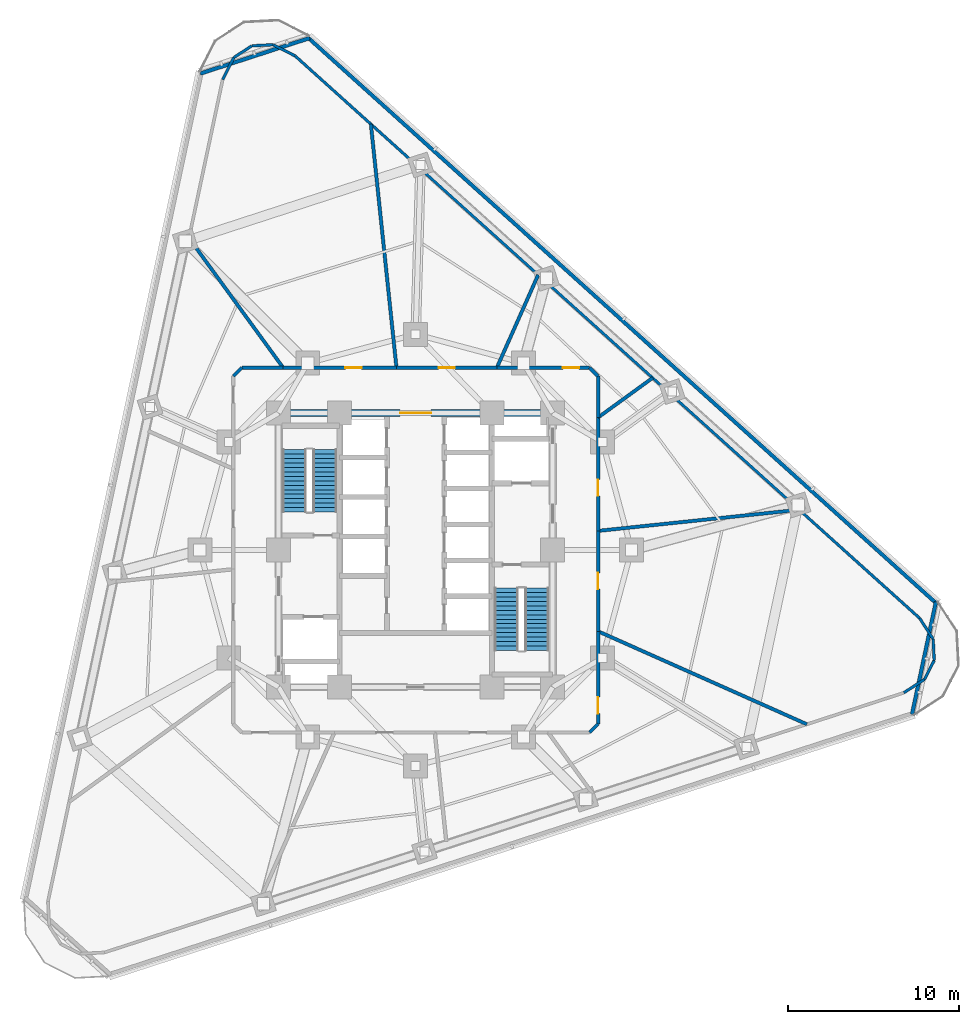
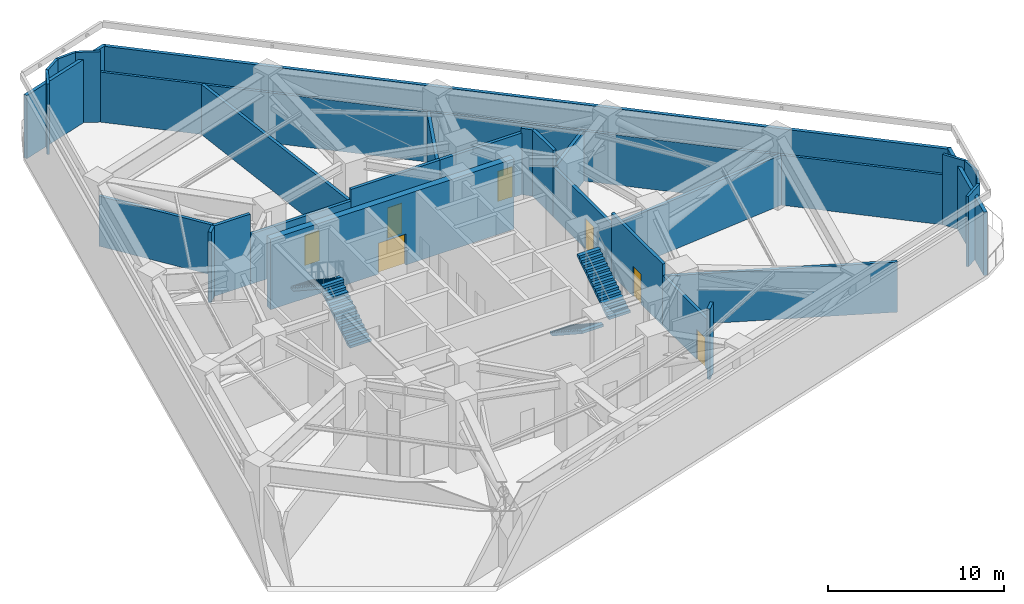
# One storey, part 5 of 10: 30 walls, 7 doors, 4 stair flights, 7 openings, 2 elements without a shape of their own.
"""IFC4 building model written with IfcOpenShell, lengths in metres."""

from ifc_helpers import new_model, si_unit, direction, frame, frame_2d, origin, place, context, subcontext, project, spatial, polyline, rectangle, outline, extrude, material, layer, layer_set, type_object, element, fill, aggregate, save


model = new_model("IFC4")

# Units and contexts
model_context = context("Model", 3, precision=1e-05, world=origin(), true_north=direction((0.0, 1.0)))
body_context = subcontext(model_context, "Body", "Model", "MODEL_VIEW")
ifc_project = project(units=[si_unit("LENGTHUNIT", "METRE"), si_unit("AREAUNIT", "SQUARE_METRE"), si_unit("VOLUMEUNIT", "CUBIC_METRE"), si_unit("PLANEANGLEUNIT", "RADIAN"), si_unit("MASSUNIT", "GRAM", prefix="KILO")], contexts=[model_context])

# Site, building, storey
site_placement = place(None, origin())
site = spatial("IfcSite", under=ifc_project, at=site_placement, CompositionType="ELEMENT")
building_placement = place(site_placement, origin())
building = spatial("IfcBuilding", under=site, at=building_placement, Name="Terralouvre Media Tower", CompositionType="ELEMENT")
storey_placement = place(building_placement, frame((0.0, 0.0, 85.199951171875)))
storey = spatial("IfcBuildingStorey", under=building, at=storey_placement, Name="L21", CompositionType="ELEMENT", Elevation=85.199951171875)

# Wall, opening, door
ifc_material_1 = material(Name="Concrete C60/75", Category="concrete")
ifc_layer_1 = layer(ifc_material_1, 0.419921875, Name="Core Reinforced Concrete Shear Wall CW-420")
ifc_layer_set_1 = layer_set([ifc_layer_1], Name="Concrete C60/75")
wall_type_1 = type_object("IfcWallType", Name="Core Reinforced Concrete Shear Wall CW-420", PredefinedType="SHEAR", material=ifc_layer_set_1)
wall_1_placement = place(storey_placement, frame((-8.0, 8.0, 0.0), z_axis=(0.0, 0.0, 1.0), x_axis=(1.0, 0.0, 0.0)))
wall_1 = element("IfcWall", 1, at=wall_1_placement, inside=storey, type_object=wall_type_1, Name="L21 N Core Shear Wall", PredefinedType="SHEAR", context=body_context, shape_type="SweptSolid", body=[
    extrude(rectangle(XDim=16.0, YDim=0.419921875, at=frame_2d((8.0, 0.0))), origin(), (0.0, 0.0, 1.0), 4.900146484375),
])
opening_1_placement = place(wall_1_placement, frame((7.10009765625, 0.0, 0.0)))
opening_1 = element("IfcOpeningElement", 2, at=opening_1_placement, cuts=wall_1, Name="Opening FD-03", PredefinedType="OPENING", context=body_context, shape_type="SweptSolid", body=[
    extrude(rectangle(XDim=1.800048828125, YDim=2.14990234375, at=frame_2d((0.89990234375, 1.074951171875))), frame((0.0, 0.219970703125, 0.0), z_axis=(0.0, -1.0, 0.0), x_axis=(1.0, 0.0, 0.0)), (0.0, 0.0, 1.0), 0.43994140625),
])
ifc_material_2 = material(Name="Galvanised steel fire-resisting leaf", Category="steel")
door_type_1 = type_object("IfcDoorType", Name="Corridor Smoke-Control Double Door FD-03", OperationType="DOUBLE_DOOR_SINGLE_SWING", PredefinedType="DOOR", material=ifc_material_2)
door_1_placement = place(opening_1_placement, origin())
door_1 = element("IfcDoor", 3, at=door_1_placement, inside=storey, type_object=door_type_1, Name="L21 Central Lift Lobby Portal Door", OperationType="DOUBLE_DOOR_SINGLE_SWING", OverallHeight=2.14990234375, OverallWidth=1.800048828125, PredefinedType="DOOR", context=body_context, shape_type="SweptSolid", body=[
    extrude(rectangle(XDim=1.800048828125, YDim=2.14990234375, at=frame_2d((0.89990234375, 1.074951171875))), frame((0.0, 0.02490234375, 0.0), z_axis=(0.0, -1.0, 0.0), x_axis=(1.0, 0.0, 0.0)), (0.0, 0.0, 1.0), 0.050048828125),
])
fill(opening_1, door_1)

# Walls
ifc_material_3 = material(Name="Fire-rated gypsum board drywall partition")
ifc_layer_2 = layer(ifc_material_3, 0.199951171875, Name="Fire-Rated Shaft and Lobby Partition FW-200")
ifc_layer_set_2 = layer_set([ifc_layer_2], Name="Fire-rated gypsum board drywall partition")
wall_type_2 = type_object("IfcWallType", Name="Fire-Rated Shaft and Lobby Partition FW-200", PredefinedType="SOLIDWALL", material=ifc_layer_set_2)
wall_2_placement = place(storey_placement, frame((-11.265869140625, 27.475830078125, 0.0), z_axis=(0.0, 0.0, 1.0), x_axis=(0.454045060765, 0.890978721853, 0.0)))
element("IfcWall", 4, at=wall_2_placement, inside=storey, type_object=wall_type_2, Name="L21 Belt-Truss Acoustic Plenum Liner Wall 02", PredefinedType="SOLIDWALL", context=body_context, shape_type="SweptSolid", body=[
    extrude(rectangle(XDim=1.44091796875, YDim=0.159912109375, at=frame_2d((0.720458984375, 0.0))), origin(), (0.0, 0.0, 1.0), 4.900146484375),
])
wall_3_placement = place(storey_placement, frame((-10.611572265625, 28.759765625, 0.0), z_axis=(0.0, 0.0, 1.0), x_axis=(0.838644779001, 0.544678744448, 0.0)))
element("IfcWall", 5, at=wall_3_placement, inside=storey, type_object=wall_type_2, Name="L21 Belt-Truss Acoustic Plenum Liner Wall 03", PredefinedType="SOLIDWALL", context=body_context, shape_type="SweptSolid", body=[
    extrude(rectangle(XDim=1.247314453125, YDim=0.159912109375, at=frame_2d((0.62353515625, 0.0))), origin(), (0.0, 0.0, 1.0), 4.900146484375),
])
wall_4_placement = place(storey_placement, frame((-9.5654296875, 29.439208984375, 0.0), z_axis=(0.0, 0.0, 1.0), x_axis=(0.998633999649, 0.05225069134, 0.0)))
element("IfcWall", 6, at=wall_4_placement, inside=storey, type_object=wall_type_2, Name="L21 Belt-Truss Acoustic Plenum Liner Wall 04", PredefinedType="SOLIDWALL", context=body_context, shape_type="SweptSolid", body=[
    extrude(rectangle(XDim=1.24755859375, YDim=0.159912109375, at=frame_2d((0.623779296875, 0.0))), origin(), (0.0, 0.0, 1.0), 4.900146484375),
])
wall_5_placement = place(storey_placement, frame((-8.319580078125, 29.50439453125, 0.0), z_axis=(0.0, 0.0, 1.0), x_axis=(0.890978721853, -0.454045060765, 0.0)))
element("IfcWall", 7, at=wall_5_placement, inside=storey, type_object=wall_type_2, Name="L21 Belt-Truss Acoustic Plenum Liner Wall 05", PredefinedType="SOLIDWALL", context=body_context, shape_type="SweptSolid", body=[
    extrude(rectangle(XDim=1.44091796875, YDim=0.159912109375, at=frame_2d((0.720458984375, 0.0))), origin(), (0.0, 0.0, 1.0), 4.900146484375),
])
wall_6_placement = place(storey_placement, frame((-7.03564453125, 28.85009765625, 0.0), z_axis=(0.0, 0.0, 1.0), x_axis=(0.743144937383, -0.669130482075, 0.0)))
element("IfcWall", 8, at=wall_6_placement, inside=storey, type_object=wall_type_2, Name="L21 Belt-Truss Acoustic Plenum Liner Wall 06", PredefinedType="SOLIDWALL", context=body_context, shape_type="SweptSolid", body=[
    extrude(rectangle(XDim=49.06591796875, YDim=0.159912109375, at=frame_2d((24.532958984375, 0.0))), origin(), (0.0, 0.0, 1.0), 3.485107421875),
])
wall_7_placement = place(storey_placement, frame((29.427490234375, -3.9814453125, 0.0), z_axis=(0.0, 0.0, 1.0), x_axis=(0.544690562914, -0.838637103086, 0.0)))
element("IfcWall", 9, at=wall_7_placement, inside=storey, type_object=wall_type_2, Name="L21 Belt-Truss Acoustic Plenum Liner Wall 07", PredefinedType="SOLIDWALL", context=body_context, shape_type="SweptSolid", body=[
    extrude(rectangle(XDim=1.44091796875, YDim=0.159912109375, at=frame_2d((0.720458984375, 0.0))), origin(), (0.0, 0.0, 1.0), 4.900146484375),
])
wall_8_placement = place(storey_placement, frame((30.21240234375, -5.18994140625, 0.0), z_axis=(0.0, 0.0, 1.0), x_axis=(0.05225069134, -0.998633999649, 0.0)))
element("IfcWall", 10, at=wall_8_placement, inside=storey, type_object=wall_type_2, Name="L21 Belt-Truss Acoustic Plenum Liner Wall 08", PredefinedType="SOLIDWALL", context=body_context, shape_type="SweptSolid", body=[
    extrude(rectangle(XDim=1.24755859375, YDim=0.159912109375, at=frame_2d((0.623779296875, 0.0))), origin(), (0.0, 0.0, 1.0), 4.900146484375),
])
wall_9_placement = place(storey_placement, frame((30.277587890625, -6.435791015625, 0.0), z_axis=(0.0, 0.0, 1.0), x_axis=(-0.45393457834, -0.891035015354, 0.0)))
element("IfcWall", 11, at=wall_9_placement, inside=storey, type_object=wall_type_2, Name="L21 Belt-Truss Acoustic Plenum Liner Wall 09", PredefinedType="SOLIDWALL", context=body_context, shape_type="SweptSolid", body=[
    extrude(rectangle(XDim=1.247314453125, YDim=0.159912109375, at=frame_2d((0.62353515625, 0.0))), origin(), (0.0, 0.0, 1.0), 4.900146484375),
])
wall_10_placement = place(storey_placement, frame((29.71142578125, -7.547119140625, 0.0), z_axis=(0.0, 0.0, 1.0), x_axis=(-0.838637103086, -0.544690562914, 0.0)))
element("IfcWall", 12, at=wall_10_placement, inside=storey, type_object=wall_type_2, Name="L21 Belt-Truss Acoustic Plenum Liner Wall 10", PredefinedType="SOLIDWALL", context=body_context, shape_type="SweptSolid", body=[
    extrude(rectangle(XDim=1.44091796875, YDim=0.159912109375, at=frame_2d((0.720458984375, 0.0))), origin(), (0.0, 0.0, 1.0), 4.900146484375),
])
wall_11_placement = place(storey_placement, frame((10.14990234375, -10.64990234375, 0.0), z_axis=(0.0, 0.0, 1.0), x_axis=(0.707106781187, 0.707106781187, 0.0)))
element("IfcWall", 13, at=wall_11_placement, inside=storey, type_object=wall_type_2, Name="L21 Interior Partition 008", PredefinedType="SOLIDWALL", context=body_context, shape_type="SweptSolid", body=[
    extrude(rectangle(XDim=0.70703125, YDim=0.199951171875, at=frame_2d((0.353515625, 0.0))), origin(), (0.0, 0.0, 1.0), 4.900146484375),
])

# Wall, opening, door
wall_12_placement = place(storey_placement, frame((10.64990234375, -10.14990234375, 0.0), z_axis=(0.0, 0.0, 1.0), x_axis=(0.0, 1.0, 0.0)))
wall_12 = element("IfcWall", 14, at=wall_12_placement, inside=storey, type_object=wall_type_2, Name="L21 Interior Partition 009", PredefinedType="SOLIDWALL", context=body_context, shape_type="SweptSolid", body=[
    extrude(rectangle(XDim=5.407958984375, YDim=0.199951171875, at=frame_2d((2.7041015625, 0.0))), origin(), (0.0, 0.0, 1.0), 3.485107421875),
])
opening_2_placement = place(wall_12_placement, frame((0.606689453125, 0.0, 0.0)))
opening_2 = element("IfcOpeningElement", 15, at=opening_2_placement, cuts=wall_12, Name="Opening FD-02-95X210", PredefinedType="OPENING", context=body_context, shape_type="SweptSolid", body=[
    extrude(rectangle(XDim=0.949951171875, YDim=2.10009765625, at=frame_2d((0.47509765625, 1.050048828125))), frame((0.0, 0.10986328125, 0.0), z_axis=(0.0, -1.0, 0.0), x_axis=(1.0, 0.0, 0.0)), (0.0, 0.0, 1.0), 0.219970703125),
])
ifc_material_4 = material(Name="Galvanised steel fire-resisting leaf", Category="steel")
door_type_2 = type_object("IfcDoorType", Name="Plant and Riser Fire Door FD-02 (950x2100)", OperationType="NOTDEFINED", PredefinedType="DOOR", material=ifc_material_4)
door_2_placement = place(opening_2_placement, origin())
door_2 = element("IfcDoor", 16, at=door_2_placement, inside=storey, type_object=door_type_2, Name="L21 High-Voltage Transformer and Switchgear Plant Room Door", OperationType="SINGLE_SWING_RIGHT", OverallHeight=2.10009765625, OverallWidth=0.949951171875, PredefinedType="DOOR", context=body_context, shape_type="SweptSolid", body=[
    extrude(rectangle(XDim=0.949951171875, YDim=2.10009765625, at=frame_2d((0.47509765625, 1.050048828125))), frame((0.0, 0.02490234375, 0.0), z_axis=(0.0, -1.0, 0.0), x_axis=(1.0, 0.0, 0.0)), (0.0, 0.0, 1.0), 0.050048828125),
])
fill(opening_2, door_2)

wall_13_placement = place(storey_placement, frame((10.64990234375, -4.741943359375, 0.0), z_axis=(0.0, 0.0, 1.0), x_axis=(0.0, 1.0, 0.0)))
wall_13 = element("IfcWall", 17, at=wall_13_placement, inside=storey, type_object=wall_type_2, Name="L21 Interior Partition 010", PredefinedType="SOLIDWALL", context=body_context, shape_type="SweptSolid", body=[
    extrude(rectangle(XDim=5.86083984375, YDim=0.199951171875, at=frame_2d((2.930419921875, 0.0))), origin(), (0.0, 0.0, 1.0), 4.28515625),
])
opening_3_placement = place(wall_13_placement, frame((2.45556640625, 0.0, 0.0)))
opening_3 = element("IfcOpeningElement", 18, at=opening_3_placement, cuts=wall_13, Name="Opening FD-02-95X210", PredefinedType="OPENING", context=body_context, shape_type="SweptSolid", body=[
    extrude(rectangle(XDim=0.949951171875, YDim=2.10009765625, at=frame_2d((0.47509765625, 1.050048828125))), frame((0.0, 0.10986328125, 0.0), z_axis=(0.0, -1.0, 0.0), x_axis=(1.0, 0.0, 0.0)), (0.0, 0.0, 1.0), 0.219970703125),
])
door_3_placement = place(opening_3_placement, origin())
door_3 = element("IfcDoor", 19, at=door_3_placement, inside=storey, type_object=door_type_2, Name="L21 Emergency Stair Pressurisation Fan Plant Room Door", OperationType="SINGLE_SWING_LEFT", OverallHeight=2.10009765625, OverallWidth=0.949951171875, PredefinedType="DOOR", context=body_context, shape_type="SweptSolid", body=[
    extrude(rectangle(XDim=0.949951171875, YDim=2.10009765625, at=frame_2d((0.47509765625, 1.050048828125))), frame((0.0, 0.02490234375, 0.0), z_axis=(0.0, -1.0, 0.0), x_axis=(1.0, 0.0, 0.0)), (0.0, 0.0, 1.0), 0.050048828125),
])
fill(opening_3, door_3)

wall_14_placement = place(storey_placement, frame((10.64990234375, 1.118896484375, 0.0), z_axis=(0.0, 0.0, 1.0), x_axis=(0.0, 1.0, 0.0)))
wall_14 = element("IfcWall", 20, at=wall_14_placement, inside=storey, type_object=wall_type_2, Name="L21 Interior Partition 011", PredefinedType="SOLIDWALL", context=body_context, shape_type="SweptSolid", body=[
    extrude(rectangle(XDim=6.619140625, YDim=0.199951171875, at=frame_2d((3.3095703125, 0.0))), origin(), (0.0, 0.0, 1.0), 3.485107421875),
])
opening_4_placement = place(wall_14_placement, frame((2.040283203125, 0.0, 0.0)))
opening_4 = element("IfcOpeningElement", 21, at=opening_4_placement, cuts=wall_14, Name="Opening FD-02-95X210", PredefinedType="OPENING", context=body_context, shape_type="SweptSolid", body=[
    extrude(rectangle(XDim=0.949951171875, YDim=2.10009765625, at=frame_2d((0.47509765625, 1.050048828125))), frame((0.0, 0.10986328125, 0.0), z_axis=(0.0, -1.0, 0.0), x_axis=(1.0, 0.0, 0.0)), (0.0, 0.0, 1.0), 0.219970703125),
])
door_4_placement = place(opening_4_placement, origin())
door_4 = element("IfcDoor", 22, at=door_4_placement, inside=storey, type_object=door_type_2, Name="L21 Designated Pressurised Refuge Holding Area East Door", OperationType="SINGLE_SWING_RIGHT", OverallHeight=2.10009765625, OverallWidth=0.949951171875, PredefinedType="DOOR", context=body_context, shape_type="SweptSolid", body=[
    extrude(rectangle(XDim=0.949951171875, YDim=2.10009765625, at=frame_2d((0.47509765625, 1.050048828125))), frame((0.0, 0.02490234375, 0.0), z_axis=(0.0, -1.0, 0.0), x_axis=(1.0, 0.0, 0.0)), (0.0, 0.0, 1.0), 0.050048828125),
])
fill(opening_4, door_4)

# Walls
wall_15_placement = place(storey_placement, frame((10.64990234375, 7.738037109375, 0.0), z_axis=(0.0, 0.0, 1.0), x_axis=(0.0, 1.0, 0.0)))
element("IfcWall", 23, at=wall_15_placement, inside=storey, type_object=wall_type_2, Name="L21 Interior Partition 012", PredefinedType="SOLIDWALL", context=body_context, shape_type="SweptSolid", body=[
    extrude(rectangle(XDim=2.411865234375, YDim=0.199951171875, at=frame_2d((1.2060546875, 0.0))), origin(), (0.0, 0.0, 1.0), 4.614990234375),
])
wall_16_placement = place(storey_placement, frame((10.64990234375, 10.14990234375, 0.0), z_axis=(0.0, 0.0, 1.0), x_axis=(-0.707106781187, 0.707106781187, 0.0)))
element("IfcWall", 24, at=wall_16_placement, inside=storey, type_object=wall_type_2, Name="L21 Interior Partition 013", PredefinedType="SOLIDWALL", context=body_context, shape_type="SweptSolid", body=[
    extrude(rectangle(XDim=0.70703125, YDim=0.199951171875, at=frame_2d((0.353515625, 0.0))), origin(), (0.0, 0.0, 1.0), 4.614990234375),
])

# Wall, opening, door
wall_17_placement = place(storey_placement, frame((10.14990234375, 10.64990234375, 0.0), z_axis=(0.0, 0.0, 1.0), x_axis=(-1.0, 0.0, 0.0)))
wall_17 = element("IfcWall", 25, at=wall_17_placement, inside=storey, type_object=wall_type_2, Name="L21 Interior Partition 014", PredefinedType="SOLIDWALL", context=body_context, shape_type="SweptSolid", body=[
    extrude(rectangle(XDim=5.407958984375, YDim=0.199951171875, at=frame_2d((2.7041015625, 0.0))), origin(), (0.0, 0.0, 1.0), 4.28515625),
])
opening_5_placement = place(wall_17_placement, frame((0.606689453125, 0.0, 0.0)))
opening_5 = element("IfcOpeningElement", 26, at=opening_5_placement, cuts=wall_17, Name="Opening FD-02-95X210", PredefinedType="OPENING", context=body_context, shape_type="SweptSolid", body=[
    extrude(rectangle(XDim=0.949951171875, YDim=2.10009765625, at=frame_2d((0.47509765625, 1.050048828125))), frame((0.0, 0.10986328125, 0.0), z_axis=(0.0, -1.0, 0.0), x_axis=(1.0, 0.0, 0.0)), (0.0, 0.0, 1.0), 0.219970703125),
])
door_5_placement = place(opening_5_placement, origin())
door_5 = element("IfcDoor", 27, at=door_5_placement, inside=storey, type_object=door_type_2, Name="L21 Sprinkler Reserve Tank and Pump Plant Room Door", OperationType="SINGLE_SWING_LEFT", OverallHeight=2.10009765625, OverallWidth=0.949951171875, PredefinedType="DOOR", context=body_context, shape_type="SweptSolid", body=[
    extrude(rectangle(XDim=0.949951171875, YDim=2.10009765625, at=frame_2d((0.47509765625, 1.050048828125))), frame((0.0, 0.02490234375, 0.0), z_axis=(0.0, -1.0, 0.0), x_axis=(1.0, 0.0, 0.0)), (0.0, 0.0, 1.0), 0.050048828125),
])
fill(opening_5, door_5)

wall_18_placement = place(storey_placement, frame((4.741943359375, 10.64990234375, 0.0), z_axis=(0.0, 0.0, 1.0), x_axis=(-1.0, 0.0, 0.0)))
wall_18 = element("IfcWall", 28, at=wall_18_placement, inside=storey, type_object=wall_type_2, Name="L21 Interior Partition 015", PredefinedType="SOLIDWALL", context=body_context, shape_type="SweptSolid", body=[
    extrude(rectangle(XDim=5.86083984375, YDim=0.199951171875, at=frame_2d((2.930419921875, 0.0))), origin(), (0.0, 0.0, 1.0), 4.28515625),
])
opening_6_placement = place(wall_18_placement, frame((2.45556640625, 0.0, 0.0)))
opening_6 = element("IfcOpeningElement", 29, at=opening_6_placement, cuts=wall_18, Name="Opening FD-02-95X210", PredefinedType="OPENING", context=body_context, shape_type="SweptSolid", body=[
    extrude(rectangle(XDim=0.949951171875, YDim=2.10009765625, at=frame_2d((0.47509765625, 1.050048828125))), frame((0.0, 0.10986328125, 0.0), z_axis=(0.0, -1.0, 0.0), x_axis=(1.0, 0.0, 0.0)), (0.0, 0.0, 1.0), 0.219970703125),
])
door_6_placement = place(opening_6_placement, origin())
door_6 = element("IfcDoor", 30, at=door_6_placement, inside=storey, type_object=door_type_2, Name="L21 BMS and Telecom Mechanical Control Plant Room Door", OperationType="SINGLE_SWING_RIGHT", OverallHeight=2.10009765625, OverallWidth=0.949951171875, PredefinedType="DOOR", context=body_context, shape_type="SweptSolid", body=[
    extrude(rectangle(XDim=0.949951171875, YDim=2.10009765625, at=frame_2d((0.47509765625, 1.050048828125))), frame((0.0, 0.02490234375, 0.0), z_axis=(0.0, -1.0, 0.0), x_axis=(1.0, 0.0, 0.0)), (0.0, 0.0, 1.0), 0.050048828125),
])
fill(opening_6, door_6)

wall_19_placement = place(storey_placement, frame((-1.118896484375, 10.64990234375, 0.0), z_axis=(0.0, 0.0, 1.0), x_axis=(-1.0, 0.0, 0.0)))
wall_19 = element("IfcWall", 31, at=wall_19_placement, inside=storey, type_object=wall_type_2, Name="L21 Interior Partition 016", PredefinedType="SOLIDWALL", context=body_context, shape_type="SweptSolid", body=[
    extrude(rectangle(XDim=6.619140625, YDim=0.199951171875, at=frame_2d((3.3095703125, 0.0))), origin(), (0.0, 0.0, 1.0), 3.485107421875),
])
opening_7_placement = place(wall_19_placement, frame((2.040283203125, 0.0, 0.0)))
opening_7 = element("IfcOpeningElement", 32, at=opening_7_placement, cuts=wall_19, Name="Opening FD-02-95X210", PredefinedType="OPENING", context=body_context, shape_type="SweptSolid", body=[
    extrude(rectangle(XDim=0.949951171875, YDim=2.10009765625, at=frame_2d((0.47509765625, 1.050048828125))), frame((0.0, 0.10986328125, 0.0), z_axis=(0.0, -1.0, 0.0), x_axis=(1.0, 0.0, 0.0)), (0.0, 0.0, 1.0), 0.219970703125),
])
door_7_placement = place(opening_7_placement, origin())
door_7 = element("IfcDoor", 33, at=door_7_placement, inside=storey, type_object=door_type_2, Name="L21 Condenser Water Booster Pump Plant Room Door", OperationType="SINGLE_SWING_LEFT", OverallHeight=2.10009765625, OverallWidth=0.949951171875, PredefinedType="DOOR", context=body_context, shape_type="SweptSolid", body=[
    extrude(rectangle(XDim=0.949951171875, YDim=2.10009765625, at=frame_2d((0.47509765625, 1.050048828125))), frame((0.0, 0.02490234375, 0.0), z_axis=(0.0, -1.0, 0.0), x_axis=(1.0, 0.0, 0.0)), (0.0, 0.0, 1.0), 0.050048828125),
])
fill(opening_7, door_7)

# Walls
wall_20_placement = place(storey_placement, frame((-7.738037109375, 10.64990234375, 0.0), z_axis=(0.0, 0.0, 1.0), x_axis=(-1.0, 0.0, 0.0)))
element("IfcWall", 34, at=wall_20_placement, inside=storey, type_object=wall_type_2, Name="L21 Interior Partition 017", PredefinedType="SOLIDWALL", context=body_context, shape_type="SweptSolid", body=[
    extrude(rectangle(XDim=2.411865234375, YDim=0.199951171875, at=frame_2d((1.2060546875, 0.0))), origin(), (0.0, 0.0, 1.0), 4.900146484375),
])
wall_21_placement = place(storey_placement, frame((-10.14990234375, 10.64990234375, 0.0), z_axis=(0.0, 0.0, 1.0), x_axis=(-0.707106781187, -0.707106781187, 0.0)))
element("IfcWall", 35, at=wall_21_placement, inside=storey, type_object=wall_type_2, Name="L21 Interior Partition 018", PredefinedType="SOLIDWALL", context=body_context, shape_type="SweptSolid", body=[
    extrude(rectangle(XDim=0.70703125, YDim=0.199951171875, at=frame_2d((0.353515625, 0.0))), origin(), (0.0, 0.0, 1.0), 4.900146484375),
])
wall_22_placement = place(storey_placement, frame((22.843994140625, -10.1708984375, 0.0), z_axis=(0.0, 0.0, 1.0), x_axis=(-0.913551146969, 0.406723864399, 0.0)))
element("IfcWall", 36, at=wall_22_placement, inside=storey, type_object=wall_type_2, Name="L21 Interior Partition 026", PredefinedType="SOLIDWALL", context=body_context, shape_type="SweptSolid", body=[
    extrude(rectangle(XDim=13.347900390625, YDim=0.199951171875, at=frame_2d((6.673828125, 0.0))), origin(), (0.0, 0.0, 1.0), 3.485107421875),
])
wall_23_placement = place(storey_placement, frame((22.392333984375, 2.35302734375, 0.0), z_axis=(0.0, 0.0, 1.0), x_axis=(-0.994522321836, -0.104524405615, 0.0)))
element("IfcWall", 37, at=wall_23_placement, inside=storey, type_object=wall_type_2, Name="L21 Interior Partition 027", PredefinedType="SOLIDWALL", context=body_context, shape_type="SweptSolid", body=[
    extrude(rectangle(XDim=11.80712890625, YDim=0.199951171875, at=frame_2d((5.903564453125, 0.0))), origin(), (0.0, 0.0, 1.0), 3.485107421875),
])
wall_24_placement = place(storey_placement, frame((13.839111328125, 10.054931640625, 0.0), z_axis=(0.0, 0.0, 1.0), x_axis=(-0.809041292261, -0.587751807667, 0.0)))
element("IfcWall", 38, at=wall_24_placement, inside=storey, type_object=wall_type_2, Name="L21 Interior Partition 028", PredefinedType="SOLIDWALL", context=body_context, shape_type="SweptSolid", body=[
    extrude(rectangle(XDim=3.94189453125, YDim=0.199951171875, at=frame_2d((1.970947265625, 0.0))), origin(), (0.0, 0.0, 1.0), 3.485107421875),
])
wall_25_placement = place(storey_placement, frame((7.156005859375, 16.072021484375, 0.0), z_axis=(0.0, 0.0, 1.0), x_axis=(-0.406733763825, -0.913546739562, 0.0)))
element("IfcWall", 39, at=wall_25_placement, inside=storey, type_object=wall_type_2, Name="L21 Interior Partition 029", PredefinedType="SOLIDWALL", context=body_context, shape_type="SweptSolid", body=[
    extrude(rectangle(XDim=5.935302734375, YDim=0.199951171875, at=frame_2d((2.9677734375, 0.0))), origin(), (0.0, 0.0, 1.0), 3.485107421875),
])
wall_26_placement = place(storey_placement, frame((-2.614013671875, 24.868896484375, 0.0), z_axis=(0.0, 0.0, 1.0), x_axis=(0.104572784692, -0.994517236, 0.0)))
element("IfcWall", 40, at=wall_26_placement, inside=storey, type_object=wall_type_2, Name="L21 Interior Partition 030", PredefinedType="SOLIDWALL", context=body_context, shape_type="SweptSolid", body=[
    extrude(rectangle(XDim=14.29736328125, YDim=0.199951171875, at=frame_2d((7.148681640625, 0.0))), origin(), (0.0, 0.0, 1.0), 3.485107421875),
])
wall_27_placement = place(storey_placement, frame((-13.234130859375, 18.215087890625, 0.0), z_axis=(0.0, 0.0, 1.0), x_axis=(0.587761784222, -0.809034044406, 0.0)))
element("IfcWall", 41, at=wall_27_placement, inside=storey, type_object=wall_type_2, Name="L21 Interior Partition 031", PredefinedType="SOLIDWALL", context=body_context, shape_type="SweptSolid", body=[
    extrude(rectangle(XDim=9.350830078125, YDim=0.199951171875, at=frame_2d((4.67529296875, 0.0))), origin(), (0.0, 0.0, 1.0), 3.485107421875),
])
ifc_material_5 = material(Name="Kiln-fired architectural terracotta rainscreen cladding", Category="masonry")
ifc_layer_3 = layer(ifc_material_5, 0.260009765625, Name="Recessed Sky-Garden Acoustic Wall EW-SG260")
ifc_layer_set_3 = layer_set([ifc_layer_3], Name="Kiln-fired architectural terracotta rainscreen cladding")
wall_type_3 = type_object("IfcWallType", Name="Recessed Sky-Garden Acoustic Wall EW-SG260", PredefinedType="SOLIDWALL", material=ifc_layer_set_3)
wall_28_placement = place(storey_placement, frame((30.436279296875, -3.140380859375, 0.0), z_axis=(0.0, 0.0, 1.0), x_axis=(-0.743144101168, 0.669131410785, 0.0)))
element("IfcWall", 42, at=wall_28_placement, inside=storey, type_object=wall_type_3, Name="L21 Facade Curtain Wall F1 Acoustic Plant Plinth Wall", PredefinedType="SOLIDWALL", context=body_context, shape_type="SweptSolid", body=[
    extrude(rectangle(XDim=49.43994140625, YDim=0.219970703125, at=frame_2d((24.719970703125, 0.0))), origin(), (0.0, 0.0, 1.0), 4.400146484375),
])
wall_29_placement = place(storey_placement, frame((28.982421875, -9.595703125, 0.0), z_axis=(0.0, 0.0, 1.0), x_axis=(0.207908721665, 0.978148231842, 0.0)))
element("IfcWall", 43, at=wall_29_placement, inside=storey, type_object=wall_type_3, Name="L21 Rounded Wind-Corner Curtain Wall C1 Acoustic Plant Plinth Wall", PredefinedType="SOLIDWALL", context=body_context, shape_type="SweptSolid", body=[
    extrude(rectangle(XDim=6.720458984375, YDim=0.219970703125, at=frame_2d((3.3603515625, 0.0))), origin(), (0.0, 0.0, 1.0), 4.400146484375),
])
wall_30_placement = place(storey_placement, frame((-6.18115234375, 29.8974609375, 0.0), z_axis=(0.0, 0.0, 1.0), x_axis=(-0.951057292793, -0.309014604549, 0.0)))
element("IfcWall", 44, at=wall_30_placement, inside=storey, type_object=wall_type_3, Name="L21 Rounded Wind-Corner Curtain Wall C2 Acoustic Plant Plinth Wall", PredefinedType="SOLIDWALL", context=body_context, shape_type="SweptSolid", body=[
    extrude(rectangle(XDim=6.72021484375, YDim=0.219970703125, at=frame_2d((3.360107421875, 0.0))), origin(), (0.0, 0.0, 1.0), 4.400146484375),
])

# Stair, stair flights
ifc_material_6 = material(Name="Concrete C45/55", Category="concrete")
stair_type_1 = type_object("IfcStairType", Name="Dogleg Stair Assembly ST-01", PredefinedType="HALF_TURN_STAIR", material=ifc_material_6)
stair_1_placement = place(storey_placement, origin())
stair_1 = element("IfcStair", 45, at=stair_1_placement, inside=storey, type_object=stair_type_1, Name="L21 Core Pressurised Exit Stair ST-01", PredefinedType="HALF_TURN_STAIR")
ifc_material_7 = material(Name="Concrete C45/55", Category="concrete")
stair_flight_type = type_object("IfcStairFlightType", Name="Reinforced Concrete Stair Flight SF-RC1", PredefinedType="STRAIGHT", material=ifc_material_7)
stair_flight_1_placement = place(storey_placement, frame((-5.300048828125, 2.219970703125, 0.0), z_axis=(0.0, 0.0, 1.0), x_axis=(0.0, 1.0, 0.0)))
stair_flight_1 = element("IfcStairFlight", 46, at=stair_flight_1_placement, type_object=stair_flight_type, Name="ST-01 flight 1", NumberOfRisers=15, NumberOfTreads=14, PredefinedType="STRAIGHT", RiserHeight=0.17, TreadLength=0.26, context=body_context, shape_type="SweptSolid", body=[
    extrude(outline(polyline([(0.0, 0.0), (0.0, 0.169921875), (0.260009765625, 0.169921875), (0.260009765625, 0.340087890625), (0.52001953125, 0.340087890625), (0.52001953125, 0.510009765625), (0.780029296875, 0.510009765625), (0.780029296875, 0.679931640625), (1.0400390625, 0.679931640625), (1.0400390625, 0.85009765625), (1.300048828125, 0.85009765625), (1.300048828125, 1.02001953125), (1.56005859375, 1.02001953125), (1.56005859375, 1.18994140625), (1.820068359375, 1.18994140625), (1.820068359375, 1.360107421875), (2.080078125, 1.360107421875), (2.080078125, 1.530029296875), (2.340087890625, 1.530029296875), (2.340087890625, 1.699951171875), (2.60009765625, 1.699951171875), (2.60009765625, 1.8701171875), (2.860107421875, 1.8701171875), (2.860107421875, 2.0400390625), (3.1201171875, 2.0400390625), (3.1201171875, 2.2099609375), (3.3798828125, 2.2099609375), (3.3798828125, 2.3798828125), (3.639892578125, 2.3798828125), (3.639892578125, 2.550048828125), (3.639892578125, 2.200927734375), (0.27392578125, 0.0), (0.0, 0.0)])), frame((0.0, 0.699951171875, 0.0), z_axis=(0.0, -1.0, 0.0), x_axis=(1.0, 0.0, 0.0)), (0.0, 0.0, 1.0), 1.39990234375),
])
stair_flight_2_placement = place(storey_placement, frame((-7.080078125, 5.860107421875, 2.550048828125), z_axis=(0.0, 0.0, 1.0), x_axis=(0.0, -1.0, 0.0)))
stair_flight_2 = element("IfcStairFlight", 47, at=stair_flight_2_placement, type_object=stair_flight_type, Name="ST-01 flight 2", NumberOfRisers=15, NumberOfTreads=14, PredefinedType="STRAIGHT", RiserHeight=0.17, TreadLength=0.26, context=body_context, shape_type="SweptSolid", body=[
    extrude(outline(polyline([(0.0, 0.0), (0.0, 0.169921875), (0.260009765625, 0.169921875), (0.260009765625, 0.340087890625), (0.52001953125, 0.340087890625), (0.52001953125, 0.510009765625), (0.780029296875, 0.510009765625), (0.780029296875, 0.679931640625), (1.0400390625, 0.679931640625), (1.0400390625, 0.85009765625), (1.300048828125, 0.85009765625), (1.300048828125, 1.02001953125), (1.56005859375, 1.02001953125), (1.56005859375, 1.18994140625), (1.820068359375, 1.18994140625), (1.820068359375, 1.360107421875), (2.080078125, 1.360107421875), (2.080078125, 1.530029296875), (2.340087890625, 1.530029296875), (2.340087890625, 1.699951171875), (2.60009765625, 1.699951171875), (2.60009765625, 1.8701171875), (2.860107421875, 1.8701171875), (2.860107421875, 2.0400390625), (3.1201171875, 2.0400390625), (3.1201171875, 2.2099609375), (3.3798828125, 2.2099609375), (3.3798828125, 2.3798828125), (3.639892578125, 2.3798828125), (3.639892578125, 2.550048828125), (3.639892578125, 2.200927734375), (0.27392578125, 0.0), (0.0, 0.0)])), frame((0.0, 0.699951171875, 0.0), z_axis=(0.0, -1.0, 0.0), x_axis=(1.0, 0.0, 0.0)), (0.0, 0.0, 1.0), 1.39990234375),
])
aggregate(stair_1, [stair_flight_1, stair_flight_2])

ifc_material_8 = material(Name="Concrete C45/55", Category="concrete")
stair_type_2 = type_object("IfcStairType", Name="Dogleg Stair Assembly ST-02", PredefinedType="HALF_TURN_STAIR", material=ifc_material_8)
stair_2_placement = place(storey_placement, origin())
stair_2 = element("IfcStair", 48, at=stair_2_placement, inside=storey, type_object=stair_type_2, Name="L21 Core Pressurised Exit Stair ST-02", PredefinedType="HALF_TURN_STAIR")
stair_flight_3_placement = place(storey_placement, frame((5.300048828125, -2.219970703125, 0.0), z_axis=(0.0, 0.0, 1.0), x_axis=(0.0, -1.0, 0.0)))
stair_flight_3 = element("IfcStairFlight", 49, at=stair_flight_3_placement, type_object=stair_flight_type, Name="ST-02 flight 1", NumberOfRisers=15, NumberOfTreads=14, PredefinedType="STRAIGHT", RiserHeight=0.17, TreadLength=0.26, context=body_context, shape_type="SweptSolid", body=[
    extrude(outline(polyline([(0.0, 0.0), (0.0, 0.169921875), (0.260009765625, 0.169921875), (0.260009765625, 0.340087890625), (0.52001953125, 0.340087890625), (0.52001953125, 0.510009765625), (0.780029296875, 0.510009765625), (0.780029296875, 0.679931640625), (1.0400390625, 0.679931640625), (1.0400390625, 0.85009765625), (1.300048828125, 0.85009765625), (1.300048828125, 1.02001953125), (1.56005859375, 1.02001953125), (1.56005859375, 1.18994140625), (1.820068359375, 1.18994140625), (1.820068359375, 1.360107421875), (2.080078125, 1.360107421875), (2.080078125, 1.530029296875), (2.340087890625, 1.530029296875), (2.340087890625, 1.699951171875), (2.60009765625, 1.699951171875), (2.60009765625, 1.8701171875), (2.860107421875, 1.8701171875), (2.860107421875, 2.0400390625), (3.1201171875, 2.0400390625), (3.1201171875, 2.2099609375), (3.3798828125, 2.2099609375), (3.3798828125, 2.3798828125), (3.639892578125, 2.3798828125), (3.639892578125, 2.550048828125), (3.639892578125, 2.200927734375), (0.27392578125, 0.0), (0.0, 0.0)])), frame((0.0, 0.699951171875, 0.0), z_axis=(0.0, -1.0, 0.0), x_axis=(1.0, 0.0, 0.0)), (0.0, 0.0, 1.0), 1.39990234375),
])
stair_flight_4_placement = place(storey_placement, frame((7.080078125, -5.860107421875, 2.550048828125), z_axis=(0.0, 0.0, 1.0), x_axis=(0.0, 1.0, 0.0)))
stair_flight_4 = element("IfcStairFlight", 50, at=stair_flight_4_placement, type_object=stair_flight_type, Name="ST-02 flight 2", NumberOfRisers=15, NumberOfTreads=14, PredefinedType="STRAIGHT", RiserHeight=0.17, TreadLength=0.26, context=body_context, shape_type="SweptSolid", body=[
    extrude(outline(polyline([(0.0, 0.0), (0.0, 0.169921875), (0.260009765625, 0.169921875), (0.260009765625, 0.340087890625), (0.52001953125, 0.340087890625), (0.52001953125, 0.510009765625), (0.780029296875, 0.510009765625), (0.780029296875, 0.679931640625), (1.0400390625, 0.679931640625), (1.0400390625, 0.85009765625), (1.300048828125, 0.85009765625), (1.300048828125, 1.02001953125), (1.56005859375, 1.02001953125), (1.56005859375, 1.18994140625), (1.820068359375, 1.18994140625), (1.820068359375, 1.360107421875), (2.080078125, 1.360107421875), (2.080078125, 1.530029296875), (2.340087890625, 1.530029296875), (2.340087890625, 1.699951171875), (2.60009765625, 1.699951171875), (2.60009765625, 1.8701171875), (2.860107421875, 1.8701171875), (2.860107421875, 2.0400390625), (3.1201171875, 2.0400390625), (3.1201171875, 2.2099609375), (3.3798828125, 2.2099609375), (3.3798828125, 2.3798828125), (3.639892578125, 2.3798828125), (3.639892578125, 2.550048828125), (3.639892578125, 2.200927734375), (0.27392578125, 0.0), (0.0, 0.0)])), frame((0.0, 0.699951171875, 0.0), z_axis=(0.0, -1.0, 0.0), x_axis=(1.0, 0.0, 0.0)), (0.0, 0.0, 1.0), 1.39990234375),
])
aggregate(stair_2, [stair_flight_3, stair_flight_4])

save(model, "model.ifc")
